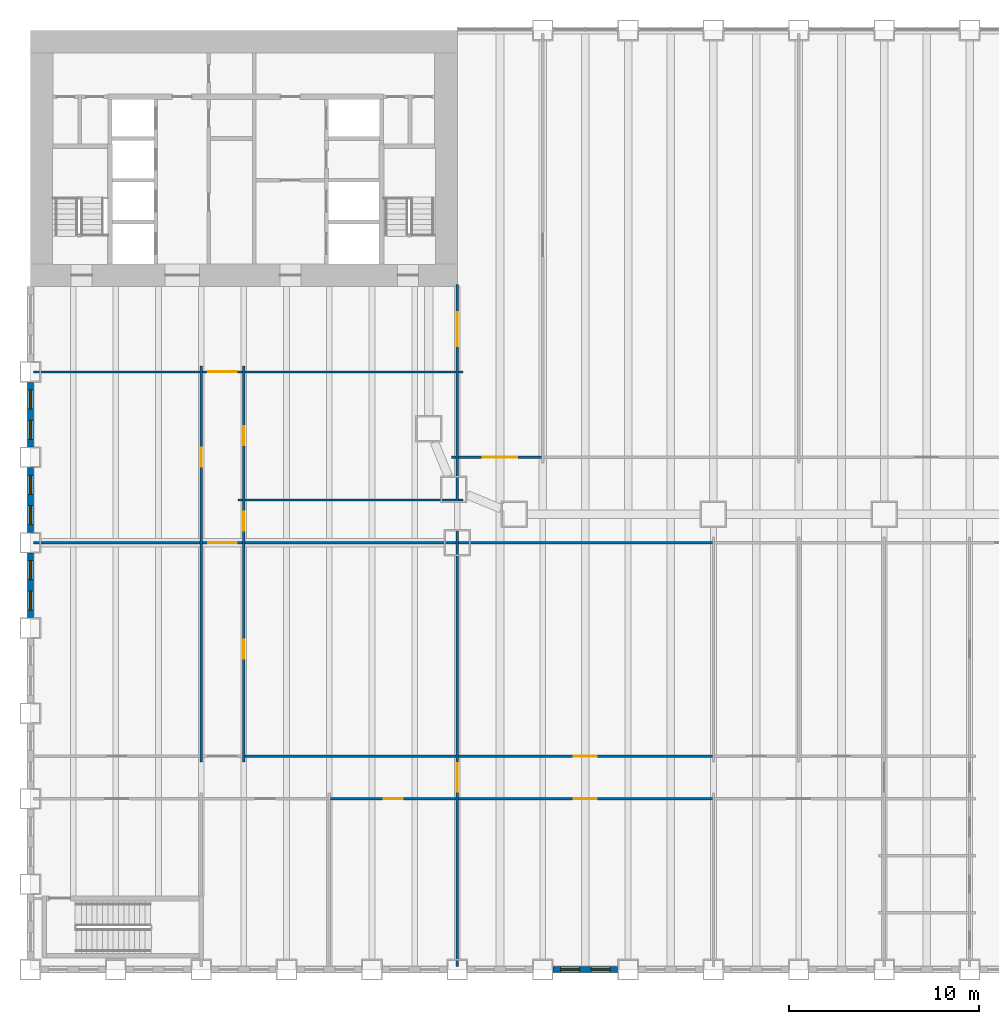
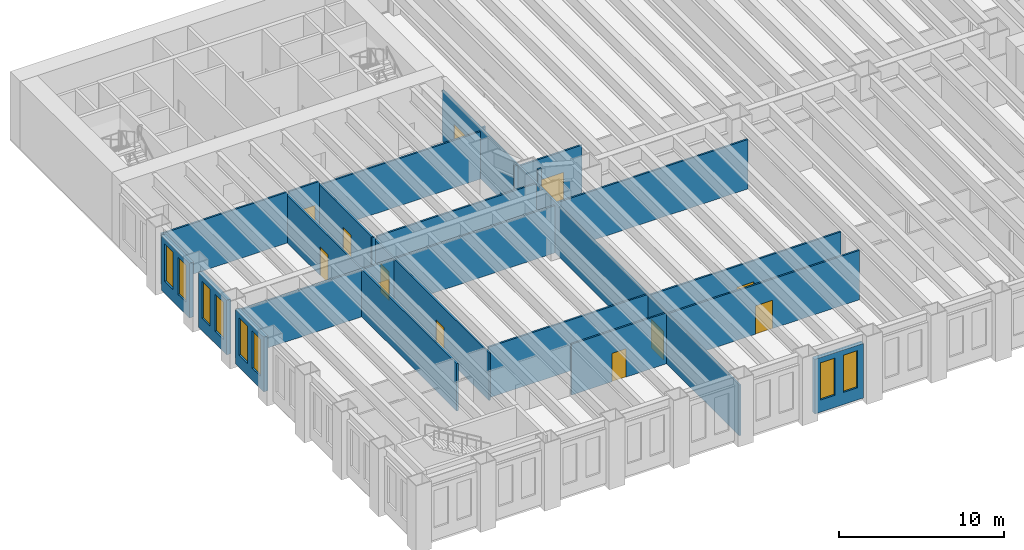
# One storey, part 10 of 19: 24 walls, 12 doors, 8 windows, 20 openings.
"""IFC4 building model written with IfcOpenShell, lengths in metres."""

from ifc_helpers import new_model, si_unit, direction, frame, frame_2d, origin, place, context, subcontext, project, spatial, rectangle, extrude, material, layer, layer_set, type_object, element, fill, save


model = new_model("IFC4")

# Units and contexts
model_context = context("Model", 3, precision=1e-05, world=origin(), true_north=direction((0.0, 1.0)))
body_context = subcontext(model_context, "Body", "Model", "MODEL_VIEW")
ifc_project = project(units=[si_unit("LENGTHUNIT", "METRE"), si_unit("AREAUNIT", "SQUARE_METRE"), si_unit("VOLUMEUNIT", "CUBIC_METRE"), si_unit("PLANEANGLEUNIT", "RADIAN"), si_unit("MASSUNIT", "GRAM", prefix="KILO")], contexts=[model_context])

# Site, building, storey
site_placement = place(None, origin())
site = spatial("IfcSite", under=ifc_project, at=site_placement, CompositionType="ELEMENT")
building_placement = place(site_placement, origin())
building = spatial("IfcBuilding", under=site, at=building_placement, Name="Sennacour Bend Tower", CompositionType="ELEMENT")
storey_placement = place(building_placement, frame((0.0, 0.0, 19.0)))
storey = spatial("IfcBuildingStorey", under=building, at=storey_placement, Name="L03", CompositionType="ELEMENT", Elevation=19.0)

# Wall, opening, door
ifc_material_1 = material(Name="Plasterboard partition on steel studs", Category="steel")
ifc_layer_1 = layer(ifc_material_1, 0.1201171875, Name="Plasterboard partition on steel studs", Category="steel")
ifc_layer_set_1 = layer_set([ifc_layer_1], Name="Plasterboard partition on steel studs")
wall_type_1 = type_object("IfcWallType", Name="Partition 120", PredefinedType="PARTITIONING", material=ifc_layer_set_1)
wall_1_placement = place(storey_placement, frame((9.0, 10.949951171875, 0.0), z_axis=(0.0, 0.0, 1.0), x_axis=(0.0, 1.0, 0.0)))
wall_1 = element("IfcWall", 1, at=wall_1_placement, inside=storey, type_object=wall_type_1, Name="P-L03-W010a", PredefinedType="PARTITIONING", context=body_context, shape_type="SweptSolid", body=[
    extrude(rectangle(XDim=20.85009765625, YDim=0.1201171875, at=frame_2d((10.425048828125, 0.0))), origin(), (0.0, 0.0, 1.0), 3.5),
])
opening_1_placement = place(wall_1_placement, frame((15.550048828125, 0.0, 0.0)))
opening_1 = element("IfcOpeningElement", 2, at=opening_1_placement, cuts=wall_1, Name="Opening OD2", PredefinedType="OPENING", context=body_context, shape_type="SweptSolid", body=[
    extrude(rectangle(XDim=1.0, YDim=2.10009765625, at=frame_2d((0.5, 1.050048828125))), frame((0.0, 0.070068359375, 0.0), z_axis=(0.0, -1.0, 0.0), x_axis=(1.0, 0.0, 0.0)), (0.0, 0.0, 1.0), 0.14013671875),
])
ifc_material_2 = material(Name="Timber", Category="wood")
door_type_1 = type_object("IfcDoorType", Name="DR-OFFICE-1000", OperationType="NOTDEFINED", PredefinedType="DOOR", material=ifc_material_2)
door_1_placement = place(opening_1_placement, origin())
door_1 = element("IfcDoor", 3, at=door_1_placement, inside=storey, type_object=door_type_1, Name="Door", OperationType="SINGLE_SWING_RIGHT", OverallHeight=2.10009765625, OverallWidth=1.0, PredefinedType="DOOR", context=body_context, shape_type="SweptSolid", body=[
    extrude(rectangle(XDim=1.0, YDim=2.10009765625, at=frame_2d((0.5, 1.050048828125))), frame((0.0, 0.02490234375, 0.0), z_axis=(0.0, -1.0, 0.0), x_axis=(1.0, 0.0, 0.0)), (0.0, 0.0, 1.0), 0.050048828125),
])
fill(opening_1, door_1)

# Wall, openings, doors
wall_2_placement = place(storey_placement, frame((11.25, 10.949951171875, 0.0), z_axis=(0.0, 0.0, 1.0), x_axis=(0.0, 1.0, 0.0)))
wall_2 = element("IfcWall", 4, at=wall_2_placement, inside=storey, type_object=wall_type_1, Name="P-L03-W012a", PredefinedType="PARTITIONING", context=body_context, shape_type="SweptSolid", body=[
    extrude(rectangle(XDim=20.85009765625, YDim=0.1201171875, at=frame_2d((10.425048828125, 0.0))), origin(), (0.0, 0.0, 1.0), 3.5),
])
opening_2_placement = place(wall_2_placement, frame((5.425048828125, 0.0, 0.0)))
opening_2 = element("IfcOpeningElement", 5, at=opening_2_placement, cuts=wall_2, Name="Opening OD2", PredefinedType="OPENING", context=body_context, shape_type="SweptSolid", body=[
    extrude(rectangle(XDim=1.0, YDim=2.10009765625, at=frame_2d((0.5, 1.050048828125))), frame((0.0, 0.070068359375, 0.0), z_axis=(0.0, -1.0, 0.0), x_axis=(1.0, 0.0, 0.0)), (0.0, 0.0, 1.0), 0.14013671875),
])
opening_3_placement = place(wall_2_placement, frame((12.175048828125, 0.0, 0.0)))
opening_3 = element("IfcOpeningElement", 6, at=opening_3_placement, cuts=wall_2, Name="Opening OD2", PredefinedType="OPENING", context=body_context, shape_type="SweptSolid", body=[
    extrude(rectangle(XDim=1.0, YDim=2.10009765625, at=frame_2d((0.5, 1.050048828125))), frame((0.0, 0.070068359375, 0.0), z_axis=(0.0, -1.0, 0.0), x_axis=(1.0, 0.0, 0.0)), (0.0, 0.0, 1.0), 0.14013671875),
])
opening_4_placement = place(wall_2_placement, frame((16.675048828125, 0.0, 0.0)))
opening_4 = element("IfcOpeningElement", 7, at=opening_4_placement, cuts=wall_2, Name="Opening OD2", PredefinedType="OPENING", context=body_context, shape_type="SweptSolid", body=[
    extrude(rectangle(XDim=1.0, YDim=2.10009765625, at=frame_2d((0.5, 1.050048828125))), frame((0.0, 0.070068359375, 0.0), z_axis=(0.0, -1.0, 0.0), x_axis=(1.0, 0.0, 0.0)), (0.0, 0.0, 1.0), 0.14013671875),
])
door_2_placement = place(opening_2_placement, origin())
door_2 = element("IfcDoor", 8, at=door_2_placement, inside=storey, type_object=door_type_1, Name="Door", OperationType="SINGLE_SWING_LEFT", OverallHeight=2.10009765625, OverallWidth=1.0, PredefinedType="DOOR", context=body_context, shape_type="SweptSolid", body=[
    extrude(rectangle(XDim=1.0, YDim=2.10009765625, at=frame_2d((0.5, 1.050048828125))), frame((0.0, 0.02490234375, 0.0), z_axis=(0.0, -1.0, 0.0), x_axis=(1.0, 0.0, 0.0)), (0.0, 0.0, 1.0), 0.050048828125),
])
fill(opening_2, door_2)
door_3_placement = place(opening_3_placement, origin())
door_3 = element("IfcDoor", 9, at=door_3_placement, inside=storey, type_object=door_type_1, Name="Door", OperationType="SINGLE_SWING_RIGHT", OverallHeight=2.10009765625, OverallWidth=1.0, PredefinedType="DOOR", context=body_context, shape_type="SweptSolid", body=[
    extrude(rectangle(XDim=1.0, YDim=2.10009765625, at=frame_2d((0.5, 1.050048828125))), frame((0.0, 0.02490234375, 0.0), z_axis=(0.0, -1.0, 0.0), x_axis=(1.0, 0.0, 0.0)), (0.0, 0.0, 1.0), 0.050048828125),
])
fill(opening_3, door_3)
door_4_placement = place(opening_4_placement, origin())
door_4 = element("IfcDoor", 10, at=door_4_placement, inside=storey, type_object=door_type_1, Name="Door", OperationType="SINGLE_SWING_RIGHT", OverallHeight=2.10009765625, OverallWidth=1.0, PredefinedType="DOOR", context=body_context, shape_type="SweptSolid", body=[
    extrude(rectangle(XDim=1.0, YDim=2.10009765625, at=frame_2d((0.5, 1.050048828125))), frame((0.0, 0.02490234375, 0.0), z_axis=(0.0, -1.0, 0.0), x_axis=(1.0, 0.0, 0.0)), (0.0, 0.0, 1.0), 0.050048828125),
])
fill(opening_4, door_4)

# Wall, opening, door
wall_3_placement = place(storey_placement, frame((15.81005859375, 9.0, 0.0), z_axis=(0.0, 0.0, 1.0), x_axis=(1.0, 0.0, 0.0)))
wall_3 = element("IfcWall", 11, at=wall_3_placement, inside=storey, type_object=wall_type_1, Name="P-L03-W055ac", PredefinedType="PARTITIONING", context=body_context, shape_type="SweptSolid", body=[
    extrude(rectangle(XDim=6.6298828125, YDim=0.1201171875, at=frame_2d((3.31494140625, 0.0))), origin(), (0.0, 0.0, 1.0), 3.7587890625),
])
opening_5_placement = place(wall_3_placement, frame((2.81494140625, 0.0, 0.0)))
opening_5 = element("IfcOpeningElement", 12, at=opening_5_placement, cuts=wall_3, Name="Opening OD2", PredefinedType="OPENING", context=body_context, shape_type="SweptSolid", body=[
    extrude(rectangle(XDim=1.0, YDim=2.10009765625, at=frame_2d((0.5, 1.050048828125))), frame((0.0, 0.070068359375, 0.0), z_axis=(0.0, -1.0, 0.0), x_axis=(1.0, 0.0, 0.0)), (0.0, 0.0, 1.0), 0.14013671875),
])
door_5_placement = place(opening_5_placement, origin())
door_5 = element("IfcDoor", 13, at=door_5_placement, inside=storey, type_object=door_type_1, Name="Door", OperationType="SINGLE_SWING_LEFT", OverallHeight=2.10009765625, OverallWidth=1.0, PredefinedType="DOOR", context=body_context, shape_type="SweptSolid", body=[
    extrude(rectangle(XDim=1.0, YDim=2.10009765625, at=frame_2d((0.5, 1.050048828125))), frame((0.0, 0.02490234375, 0.0), z_axis=(0.0, -1.0, 0.0), x_axis=(1.0, 0.0, 0.0)), (0.0, 0.0, 1.0), 0.050048828125),
])
fill(opening_5, door_5)

wall_4_placement = place(storey_placement, frame((22.56005859375, 9.0, 0.0), z_axis=(0.0, 0.0, 1.0), x_axis=(1.0, 0.0, 0.0)))
wall_4 = element("IfcWall", 14, at=wall_4_placement, inside=storey, type_object=wall_type_1, Name="P-L03-W055ad", PredefinedType="PARTITIONING", context=body_context, shape_type="SweptSolid", body=[
    extrude(rectangle(XDim=13.3798828125, YDim=0.1201171875, at=frame_2d((6.68994140625, 0.0))), origin(), (0.0, 0.0, 1.0), 3.66015625),
])
opening_6_placement = place(wall_4_placement, frame((6.08984375, 0.0, 0.0)))
opening_6 = element("IfcOpeningElement", 15, at=opening_6_placement, cuts=wall_4, Name="Opening OD", PredefinedType="OPENING", context=body_context, shape_type="SweptSolid", body=[
    extrude(rectangle(XDim=1.199951171875, YDim=2.10009765625, at=frame_2d((0.60009765625, 1.050048828125))), frame((0.0, 0.070068359375, 0.0), z_axis=(0.0, -1.0, 0.0), x_axis=(1.0, 0.0, 0.0)), (0.0, 0.0, 1.0), 0.14013671875),
])
door_type_2 = type_object("IfcDoorType", Name="DR-OFFICE-1200", OperationType="NOTDEFINED", PredefinedType="DOOR", material=ifc_material_2)
door_6_placement = place(opening_6_placement, origin())
door_6 = element("IfcDoor", 16, at=door_6_placement, inside=storey, type_object=door_type_2, Name="Door", OperationType="SINGLE_SWING_LEFT", OverallHeight=2.10009765625, OverallWidth=1.199951171875, PredefinedType="DOOR", context=body_context, shape_type="SweptSolid", body=[
    extrude(rectangle(XDim=1.199951171875, YDim=2.10009765625, at=frame_2d((0.60009765625, 1.050048828125))), frame((0.0, 0.02490234375, 0.0), z_axis=(0.0, -1.0, 0.0), x_axis=(1.0, 0.0, 0.0)), (0.0, 0.0, 1.0), 0.050048828125),
])
fill(opening_6, door_6)

# Wall
wall_5_placement = place(storey_placement, frame((11.31005859375, 11.25, 0.0), z_axis=(0.0, 0.0, 1.0), x_axis=(1.0, 0.0, 0.0)))
element("IfcWall", 17, at=wall_5_placement, inside=storey, type_object=wall_type_1, Name="P-L03-W057ac", PredefinedType="PARTITIONING", context=body_context, shape_type="SweptSolid", body=[
    extrude(rectangle(XDim=11.1298828125, YDim=0.1201171875, at=frame_2d((5.56494140625, 0.0))), origin(), (0.0, 0.0, 1.0), 3.7587890625),
])

# Wall, opening, door
wall_6_placement = place(storey_placement, frame((22.56005859375, 11.25, 0.0), z_axis=(0.0, 0.0, 1.0), x_axis=(1.0, 0.0, 0.0)))
wall_6 = element("IfcWall", 18, at=wall_6_placement, inside=storey, type_object=wall_type_1, Name="P-L03-W057ad", PredefinedType="PARTITIONING", context=body_context, shape_type="SweptSolid", body=[
    extrude(rectangle(XDim=13.3798828125, YDim=0.1201171875, at=frame_2d((6.68994140625, 0.0))), origin(), (0.0, 0.0, 1.0), 3.66015625),
])
opening_7_placement = place(wall_6_placement, frame((6.08984375, 0.0, 0.0)))
opening_7 = element("IfcOpeningElement", 19, at=opening_7_placement, cuts=wall_6, Name="Opening OD", PredefinedType="OPENING", context=body_context, shape_type="SweptSolid", body=[
    extrude(rectangle(XDim=1.199951171875, YDim=2.10009765625, at=frame_2d((0.60009765625, 1.050048828125))), frame((0.0, 0.070068359375, 0.0), z_axis=(0.0, -1.0, 0.0), x_axis=(1.0, 0.0, 0.0)), (0.0, 0.0, 1.0), 0.14013671875),
])
door_7_placement = place(opening_7_placement, origin())
door_7 = element("IfcDoor", 20, at=door_7_placement, inside=storey, type_object=door_type_2, Name="Door", OperationType="SINGLE_SWING_LEFT", OverallHeight=2.10009765625, OverallWidth=1.199951171875, PredefinedType="DOOR", context=body_context, shape_type="SweptSolid", body=[
    extrude(rectangle(XDim=1.199951171875, YDim=2.10009765625, at=frame_2d((0.60009765625, 1.050048828125))), frame((0.0, 0.02490234375, 0.0), z_axis=(0.0, -1.0, 0.0), x_axis=(1.0, 0.0, 0.0)), (0.0, 0.0, 1.0), 0.050048828125),
])
fill(opening_7, door_7)

# Walls
wall_7_placement = place(storey_placement, frame((0.14990234375, 22.5, 0.0), z_axis=(0.0, 0.0, 1.0), x_axis=(1.0, 0.0, 0.0)))
element("IfcWall", 21, at=wall_7_placement, inside=storey, type_object=wall_type_1, Name="P-L03-W066aa", PredefinedType="PARTITIONING", context=body_context, shape_type="SweptSolid", body=[
    extrude(rectangle(XDim=8.7900390625, YDim=0.1201171875, at=frame_2d((4.39501953125, 0.0))), origin(), (0.0, 0.0, 1.0), 3.5),
])
wall_8_placement = place(storey_placement, frame((11.31005859375, 22.5, 0.0), z_axis=(0.0, 0.0, 1.0), x_axis=(1.0, 0.0, 0.0)))
element("IfcWall", 22, at=wall_8_placement, inside=storey, type_object=wall_type_1, Name="P-L03-W066ac", PredefinedType="PARTITIONING", context=body_context, shape_type="SweptSolid", body=[
    extrude(rectangle(XDim=11.1298828125, YDim=0.1201171875, at=frame_2d((5.56494140625, 0.0))), origin(), (0.0, 0.0, 1.0), 3.5),
])
wall_9_placement = place(storey_placement, frame((22.56005859375, 22.5, 0.0), z_axis=(0.0, 0.0, 1.0), x_axis=(1.0, 0.0, 0.0)))
element("IfcWall", 23, at=wall_9_placement, inside=storey, type_object=wall_type_1, Name="P-L03-W066ad", PredefinedType="PARTITIONING", context=body_context, shape_type="SweptSolid", body=[
    extrude(rectangle(XDim=13.3798828125, YDim=0.1201171875, at=frame_2d((6.68994140625, 0.0))), origin(), (0.0, 0.0, 1.0), 3.66015625),
])
wall_10_placement = place(storey_placement, frame((10.949951171875, 24.75, 0.0), z_axis=(0.0, 0.0, 1.0), x_axis=(1.0, 0.0, 0.0)))
element("IfcWall", 24, at=wall_10_placement, inside=storey, type_object=wall_type_1, Name="P-L03-W067aa", PredefinedType="PARTITIONING", context=body_context, shape_type="SweptSolid", body=[
    extrude(rectangle(XDim=0.239990234375, YDim=0.1201171875, at=frame_2d((0.1201171875, 0.0))), origin(), (0.0, 0.0, 1.0), 3.7587890625),
])
wall_11_placement = place(storey_placement, frame((11.31005859375, 24.75, 0.0), z_axis=(0.0, 0.0, 1.0), x_axis=(1.0, 0.0, 0.0)))
element("IfcWall", 25, at=wall_11_placement, inside=storey, type_object=wall_type_1, Name="P-L03-W067ab", PredefinedType="PARTITIONING", context=body_context, shape_type="SweptSolid", body=[
    extrude(rectangle(XDim=11.1298828125, YDim=0.1201171875, at=frame_2d((5.56494140625, 0.0))), origin(), (0.0, 0.0, 1.0), 3.7587890625),
])
wall_12_placement = place(storey_placement, frame((22.56005859375, 24.75, 0.0), z_axis=(0.0, 0.0, 1.0), x_axis=(1.0, 0.0, 0.0)))
element("IfcWall", 26, at=wall_12_placement, inside=storey, type_object=wall_type_1, Name="P-L03-W067ac", PredefinedType="PARTITIONING", context=body_context, shape_type="SweptSolid", body=[
    extrude(rectangle(XDim=0.239990234375, YDim=0.1201171875, at=frame_2d((0.1201171875, 0.0))), origin(), (0.0, 0.0, 1.0), 4.75),
])
wall_13_placement = place(storey_placement, frame((22.199951171875, 27.0, 0.0), z_axis=(0.0, 0.0, 1.0), x_axis=(1.0, 0.0, 0.0)))
element("IfcWall", 27, at=wall_13_placement, inside=storey, type_object=wall_type_1, Name="P-L03-W068aa", PredefinedType="PARTITIONING", context=body_context, shape_type="SweptSolid", body=[
    extrude(rectangle(XDim=0.239990234375, YDim=0.1201171875, at=frame_2d((0.1201171875, 0.0))), origin(), (0.0, 0.0, 1.0), 3.7587890625),
])
wall_14_placement = place(storey_placement, frame((0.14990234375, 31.5, 0.0), z_axis=(0.0, 0.0, 1.0), x_axis=(1.0, 0.0, 0.0)))
element("IfcWall", 28, at=wall_14_placement, inside=storey, type_object=wall_type_1, Name="P-L03-W069aa", PredefinedType="PARTITIONING", context=body_context, shape_type="SweptSolid", body=[
    extrude(rectangle(XDim=8.7900390625, YDim=0.1201171875, at=frame_2d((4.39501953125, 0.0))), origin(), (0.0, 0.0, 1.0), 3.7587890625),
])
wall_15_placement = place(storey_placement, frame((11.31005859375, 31.5, 0.0), z_axis=(0.0, 0.0, 1.0), x_axis=(1.0, 0.0, 0.0)))
element("IfcWall", 29, at=wall_15_placement, inside=storey, type_object=wall_type_1, Name="P-L03-W069ac", PredefinedType="PARTITIONING", context=body_context, shape_type="SweptSolid", body=[
    extrude(rectangle(XDim=11.1298828125, YDim=0.1201171875, at=frame_2d((5.56494140625, 0.0))), origin(), (0.0, 0.0, 1.0), 3.5),
])
wall_16_placement = place(storey_placement, frame((22.56005859375, 31.5, 0.0), z_axis=(0.0, 0.0, 1.0), x_axis=(1.0, 0.0, 0.0)))
element("IfcWall", 30, at=wall_16_placement, inside=storey, type_object=wall_type_1, Name="P-L03-W069ad", PredefinedType="PARTITIONING", context=body_context, shape_type="SweptSolid", body=[
    extrude(rectangle(XDim=0.239990234375, YDim=0.1201171875, at=frame_2d((0.1201171875, 0.0))), origin(), (0.0, 0.0, 1.0), 3.7587890625),
])

# Wall, opening, door
ifc_layer_2 = layer(ifc_material_1, 0.1201171875, Name="Plasterboard partition on steel studs", Category="steel")
ifc_layer_set_2 = layer_set([ifc_layer_2], Name="Plasterboard partition on steel studs")
wall_type_2 = type_object("IfcWallType", Name="Partition 120 EI 30", PredefinedType="PARTITIONING", material=ifc_layer_set_2)
wall_17_placement = place(storey_placement, frame((9.06005859375, 22.5, 0.0), z_axis=(0.0, 0.0, 1.0), x_axis=(1.0, 0.0, 0.0)))
wall_17 = element("IfcWall", 31, at=wall_17_placement, inside=storey, type_object=wall_type_2, Name="P-L03-W066ab", PredefinedType="PARTITIONING", context=body_context, shape_type="SweptSolid", body=[
    extrude(rectangle(XDim=2.1298828125, YDim=0.1201171875, at=frame_2d((1.06494140625, 0.0))), origin(), (0.0, 0.0, 1.0), 3.5),
])
opening_8_placement = place(wall_17_placement, frame((0.31494140625, 0.0, 0.0)))
opening_8 = element("IfcOpeningElement", 32, at=opening_8_placement, cuts=wall_17, Name="Opening KD", PredefinedType="OPENING", context=body_context, shape_type="SweptSolid", body=[
    extrude(rectangle(XDim=1.5, YDim=2.10009765625, at=frame_2d((0.75, 1.050048828125))), frame((0.0, 0.070068359375, 0.0), z_axis=(0.0, -1.0, 0.0), x_axis=(1.0, 0.0, 0.0)), (0.0, 0.0, 1.0), 0.14013671875),
])
ifc_material_3 = material(Name="Painted steel", Category="steel")
door_type_3 = type_object("IfcDoorType", Name="DR-CORRIDOR-1500", OperationType="NOTDEFINED", PredefinedType="DOOR", material=ifc_material_3)
door_8_placement = place(opening_8_placement, origin())
door_8 = element("IfcDoor", 33, at=door_8_placement, inside=storey, type_object=door_type_3, Name="Door", OperationType="SINGLE_SWING_LEFT", OverallHeight=2.10009765625, OverallWidth=1.5, PredefinedType="DOOR", context=body_context, shape_type="SweptSolid", body=[
    extrude(rectangle(XDim=1.5, YDim=2.10009765625, at=frame_2d((0.75, 1.050048828125))), frame((0.0, 0.02490234375, 0.0), z_axis=(0.0, -1.0, 0.0), x_axis=(1.0, 0.0, 0.0)), (0.0, 0.0, 1.0), 0.050048828125),
])
fill(opening_8, door_8)

wall_18_placement = place(storey_placement, frame((9.06005859375, 31.5, 0.0), z_axis=(0.0, 0.0, 1.0), x_axis=(1.0, 0.0, 0.0)))
wall_18 = element("IfcWall", 34, at=wall_18_placement, inside=storey, type_object=wall_type_2, Name="P-L03-W069ab", PredefinedType="PARTITIONING", context=body_context, shape_type="SweptSolid", body=[
    extrude(rectangle(XDim=2.1298828125, YDim=0.1201171875, at=frame_2d((1.06494140625, 0.0))), origin(), (0.0, 0.0, 1.0), 3.7587890625),
])
opening_9_placement = place(wall_18_placement, frame((0.31494140625, 0.0, 0.0)))
opening_9 = element("IfcOpeningElement", 35, at=opening_9_placement, cuts=wall_18, Name="Opening KD", PredefinedType="OPENING", context=body_context, shape_type="SweptSolid", body=[
    extrude(rectangle(XDim=1.5, YDim=2.10009765625, at=frame_2d((0.75, 1.050048828125))), frame((0.0, 0.070068359375, 0.0), z_axis=(0.0, -1.0, 0.0), x_axis=(1.0, 0.0, 0.0)), (0.0, 0.0, 1.0), 0.14013671875),
])
door_9_placement = place(opening_9_placement, origin())
door_9 = element("IfcDoor", 36, at=door_9_placement, inside=storey, type_object=door_type_3, Name="Door", OperationType="SINGLE_SWING_LEFT", OverallHeight=2.10009765625, OverallWidth=1.5, PredefinedType="DOOR", context=body_context, shape_type="SweptSolid", body=[
    extrude(rectangle(XDim=1.5, YDim=2.10009765625, at=frame_2d((0.75, 1.050048828125))), frame((0.0, 0.02490234375, 0.0), z_axis=(0.0, -1.0, 0.0), x_axis=(1.0, 0.0, 0.0)), (0.0, 0.0, 1.0), 0.050048828125),
])
fill(opening_9, door_9)

# Wall, openings, doors
ifc_layer_3 = layer(ifc_material_1, 0.1201171875, Name="Plasterboard partition on steel studs", Category="steel")
ifc_layer_set_3 = layer_set([ifc_layer_3], Name="Plasterboard partition on steel studs")
wall_type_3 = type_object("IfcWallType", Name="Partition 120 EI 60", PredefinedType="PARTITIONING", material=ifc_layer_set_3)
wall_19_placement = place(storey_placement, frame((22.5, 0.14990234375, 0.0), z_axis=(0.0, 0.0, 1.0), x_axis=(0.0, 1.0, 0.0)))
wall_19 = element("IfcWall", 37, at=wall_19_placement, inside=storey, type_object=wall_type_3, Name="P-L03-W022a", PredefinedType="PARTITIONING", context=body_context, shape_type="SweptSolid", body=[
    extrude(rectangle(XDim=35.9501953125, YDim=0.1201171875, at=frame_2d((17.97509765625, 0.0))), origin(), (0.0, 0.0, 1.0), 3.7587890625),
])
opening_10_placement = place(wall_19_placement, frame((9.22509765625, 0.0, 0.0)))
opening_10 = element("IfcOpeningElement", 38, at=opening_10_placement, cuts=wall_19, Name="Opening KD", PredefinedType="OPENING", context=body_context, shape_type="SweptSolid", body=[
    extrude(rectangle(XDim=1.5, YDim=2.10009765625, at=frame_2d((0.75, 1.050048828125))), frame((0.0, 0.070068359375, 0.0), z_axis=(0.0, -1.0, 0.0), x_axis=(1.0, 0.0, 0.0)), (0.0, 0.0, 1.0), 0.14013671875),
])
opening_11_placement = place(wall_19_placement, frame((32.7001953125, 0.0, 0.0)))
opening_11 = element("IfcOpeningElement", 39, at=opening_11_placement, cuts=wall_19, Name="Opening CD", PredefinedType="OPENING", context=body_context, shape_type="SweptSolid", body=[
    extrude(rectangle(XDim=1.800048828125, YDim=2.10009765625, at=frame_2d((0.89990234375, 1.050048828125))), frame((0.0, 0.070068359375, 0.0), z_axis=(0.0, -1.0, 0.0), x_axis=(1.0, 0.0, 0.0)), (0.0, 0.0, 1.0), 0.14013671875),
])
door_10_placement = place(opening_10_placement, origin())
door_10 = element("IfcDoor", 40, at=door_10_placement, inside=storey, type_object=door_type_3, Name="Door", OperationType="SINGLE_SWING_LEFT", OverallHeight=2.10009765625, OverallWidth=1.5, PredefinedType="DOOR", context=body_context, shape_type="SweptSolid", body=[
    extrude(rectangle(XDim=1.5, YDim=2.10009765625, at=frame_2d((0.75, 1.050048828125))), frame((0.0, 0.02490234375, 0.0), z_axis=(0.0, -1.0, 0.0), x_axis=(1.0, 0.0, 0.0)), (0.0, 0.0, 1.0), 0.050048828125),
])
fill(opening_10, door_10)
door_type_4 = type_object("IfcDoorType", Name="DR-LOBBY-1800", OperationType="NOTDEFINED", PredefinedType="DOOR", material=ifc_material_3)
door_11_placement = place(opening_11_placement, origin())
door_11 = element("IfcDoor", 41, at=door_11_placement, inside=storey, type_object=door_type_4, Name="Door", OperationType="DOUBLE_DOOR_SINGLE_SWING", OverallHeight=2.10009765625, OverallWidth=1.800048828125, PredefinedType="DOOR", context=body_context, shape_type="SweptSolid", body=[
    extrude(rectangle(XDim=1.800048828125, YDim=2.10009765625, at=frame_2d((0.89990234375, 1.050048828125))), frame((0.0, 0.02490234375, 0.0), z_axis=(0.0, -1.0, 0.0), x_axis=(1.0, 0.0, 0.0)), (0.0, 0.0, 1.0), 0.050048828125),
])
fill(opening_11, door_11)

# Wall, opening, door
wall_20_placement = place(storey_placement, frame((22.56005859375, 27.0, 0.0), z_axis=(0.0, 0.0, 1.0), x_axis=(1.0, 0.0, 0.0)))
wall_20 = element("IfcWall", 42, at=wall_20_placement, inside=storey, type_object=wall_type_3, Name="P-L03-W068ab", PredefinedType="PARTITIONING", context=body_context, shape_type="SweptSolid", body=[
    extrude(rectangle(XDim=4.3798828125, YDim=0.1201171875, at=frame_2d((2.18994140625, 0.0))), origin(), (0.0, 0.0, 1.0), 3.66015625),
])
opening_12_placement = place(wall_20_placement, frame((1.289794921875, 0.0, 0.0)))
opening_12 = element("IfcOpeningElement", 43, at=opening_12_placement, cuts=wall_20, Name="Opening CD", PredefinedType="OPENING", context=body_context, shape_type="SweptSolid", body=[
    extrude(rectangle(XDim=1.800048828125, YDim=2.10009765625, at=frame_2d((0.89990234375, 1.050048828125))), frame((0.0, 0.070068359375, 0.0), z_axis=(0.0, -1.0, 0.0), x_axis=(1.0, 0.0, 0.0)), (0.0, 0.0, 1.0), 0.14013671875),
])
door_12_placement = place(opening_12_placement, origin())
door_12 = element("IfcDoor", 44, at=door_12_placement, inside=storey, type_object=door_type_4, Name="Door", OperationType="DOUBLE_DOOR_SINGLE_SWING", OverallHeight=2.10009765625, OverallWidth=1.800048828125, PredefinedType="DOOR", context=body_context, shape_type="SweptSolid", body=[
    extrude(rectangle(XDim=1.800048828125, YDim=2.10009765625, at=frame_2d((0.89990234375, 1.050048828125))), frame((0.0, 0.02490234375, 0.0), z_axis=(0.0, -1.0, 0.0), x_axis=(1.0, 0.0, 0.0)), (0.0, 0.0, 1.0), 0.050048828125),
])
fill(opening_12, door_12)

# Wall, openings, windows
ifc_material_4 = material(Name="Warm limestone cladding", Category="masonry")
ifc_layer_4 = layer(ifc_material_4, 0.050048828125, Name="Warm limestone cladding", Category="masonry")
ifc_material_5 = material(Name="Precast concrete C40/50", Category="concrete")
ifc_layer_5 = layer(ifc_material_5, 0.25, Name="Precast concrete C40/50", Category="concrete")
ifc_layer_set_4 = layer_set([ifc_layer_4, ifc_layer_5], Name="Precast concrete C40/50 with limestone cladding")
wall_type_4 = type_object("IfcWallType", Name="STONE-CLAD PRECAST SPANDREL 300", PredefinedType="STANDARD", material=ifc_layer_set_4)
wall_21_placement = place(storey_placement, frame((0.0, 30.949951171875, 0.0), z_axis=(0.0, 0.0, 1.0), x_axis=(0.0, -1.0, 0.0)))
wall_21 = element("IfcWall", 45, at=wall_21_placement, inside=storey, type_object=wall_type_4, Name="Stone spandrel and pier wall L03 02.01", PredefinedType="STANDARD", context=body_context, shape_type="SweptSolid", body=[
    extrude(rectangle(XDim=3.39990234375, YDim=0.300048828125, at=frame_2d((1.699951171875, 0.0))), origin(), (0.0, 0.0, 1.0), 4.035888671875),
])
opening_13_placement = place(wall_21_placement, frame((0.39990234375, 0.0, 0.89990234375)))
opening_13 = element("IfcOpeningElement", 46, at=opening_13_placement, cuts=wall_21, Name="Opening W3", PredefinedType="OPENING", context=body_context, shape_type="SweptSolid", body=[
    extrude(rectangle(XDim=1.0, YDim=2.75, at=frame_2d((0.5, 1.375))), frame((0.0, 0.16015625, 0.0), z_axis=(0.0, -1.0, 0.0), x_axis=(1.0, 0.0, 0.0)), (0.0, 0.0, 1.0), 0.320068359375),
])
opening_14_placement = place(wall_21_placement, frame((2.0, 0.0, 0.89990234375)))
opening_14 = element("IfcOpeningElement", 47, at=opening_14_placement, cuts=wall_21, Name="Opening W3", PredefinedType="OPENING", context=body_context, shape_type="SweptSolid", body=[
    extrude(rectangle(XDim=1.0, YDim=2.75, at=frame_2d((0.5, 1.375))), frame((0.0, 0.16015625, 0.0), z_axis=(0.0, -1.0, 0.0), x_axis=(1.0, 0.0, 0.0)), (0.0, 0.0, 1.0), 0.320068359375),
])
ifc_material_6 = material(Name="Clear low-emissivity glass", Category="glass")
window_type = type_object("IfcWindowType", Name="WIN-RIBBON-1000x2750", PartitioningType="SINGLE_PANEL", PredefinedType="WINDOW", material=ifc_material_6)
window_1_placement = place(opening_13_placement, origin())
window_1 = element("IfcWindow", 48, at=window_1_placement, inside=storey, type_object=window_type, Name="Ribbon window L03 02.01.0", OverallHeight=2.75, OverallWidth=1.0, PartitioningType="SINGLE_PANEL", PredefinedType="WINDOW", context=body_context, shape_type="SweptSolid", body=[
    extrude(rectangle(XDim=1.0, YDim=2.75, at=frame_2d((0.5, 1.375))), frame((0.0, 0.030029296875, 0.0), z_axis=(0.0, -1.0, 0.0), x_axis=(1.0, 0.0, 0.0)), (0.0, 0.0, 1.0), 0.06005859375),
])
fill(opening_13, window_1)
window_2_placement = place(opening_14_placement, origin())
window_2 = element("IfcWindow", 49, at=window_2_placement, inside=storey, type_object=window_type, Name="Ribbon window L03 02.01.1", OverallHeight=2.75, OverallWidth=1.0, PartitioningType="SINGLE_PANEL", PredefinedType="WINDOW", context=body_context, shape_type="SweptSolid", body=[
    extrude(rectangle(XDim=1.0, YDim=2.75, at=frame_2d((0.5, 1.375))), frame((0.0, 0.030029296875, 0.0), z_axis=(0.0, -1.0, 0.0), x_axis=(1.0, 0.0, 0.0)), (0.0, 0.0, 1.0), 0.06005859375),
])
fill(opening_14, window_2)

wall_22_placement = place(storey_placement, frame((0.0, 26.449951171875, 0.0), z_axis=(0.0, 0.0, 1.0), x_axis=(0.0, -1.0, 0.0)))
wall_22 = element("IfcWall", 50, at=wall_22_placement, inside=storey, type_object=wall_type_4, Name="Stone spandrel and pier wall L03 02.02", PredefinedType="STANDARD", context=body_context, shape_type="SweptSolid", body=[
    extrude(rectangle(XDim=3.39990234375, YDim=0.300048828125, at=frame_2d((1.699951171875, 0.0))), origin(), (0.0, 0.0, 1.0), 4.035888671875),
])
opening_15_placement = place(wall_22_placement, frame((0.39990234375, 0.0, 0.89990234375)))
opening_15 = element("IfcOpeningElement", 51, at=opening_15_placement, cuts=wall_22, Name="Opening W3", PredefinedType="OPENING", context=body_context, shape_type="SweptSolid", body=[
    extrude(rectangle(XDim=1.0, YDim=2.75, at=frame_2d((0.5, 1.375))), frame((0.0, 0.16015625, 0.0), z_axis=(0.0, -1.0, 0.0), x_axis=(1.0, 0.0, 0.0)), (0.0, 0.0, 1.0), 0.320068359375),
])
opening_16_placement = place(wall_22_placement, frame((2.0, 0.0, 0.89990234375)))
opening_16 = element("IfcOpeningElement", 52, at=opening_16_placement, cuts=wall_22, Name="Opening W3", PredefinedType="OPENING", context=body_context, shape_type="SweptSolid", body=[
    extrude(rectangle(XDim=1.0, YDim=2.75, at=frame_2d((0.5, 1.375))), frame((0.0, 0.16015625, 0.0), z_axis=(0.0, -1.0, 0.0), x_axis=(1.0, 0.0, 0.0)), (0.0, 0.0, 1.0), 0.320068359375),
])
window_3_placement = place(opening_15_placement, origin())
window_3 = element("IfcWindow", 53, at=window_3_placement, inside=storey, type_object=window_type, Name="Ribbon window L03 02.02.0", OverallHeight=2.75, OverallWidth=1.0, PartitioningType="SINGLE_PANEL", PredefinedType="WINDOW", context=body_context, shape_type="SweptSolid", body=[
    extrude(rectangle(XDim=1.0, YDim=2.75, at=frame_2d((0.5, 1.375))), frame((0.0, 0.030029296875, 0.0), z_axis=(0.0, -1.0, 0.0), x_axis=(1.0, 0.0, 0.0)), (0.0, 0.0, 1.0), 0.06005859375),
])
fill(opening_15, window_3)
window_4_placement = place(opening_16_placement, origin())
window_4 = element("IfcWindow", 54, at=window_4_placement, inside=storey, type_object=window_type, Name="Ribbon window L03 02.02.1", OverallHeight=2.75, OverallWidth=1.0, PartitioningType="SINGLE_PANEL", PredefinedType="WINDOW", context=body_context, shape_type="SweptSolid", body=[
    extrude(rectangle(XDim=1.0, YDim=2.75, at=frame_2d((0.5, 1.375))), frame((0.0, 0.030029296875, 0.0), z_axis=(0.0, -1.0, 0.0), x_axis=(1.0, 0.0, 0.0)), (0.0, 0.0, 1.0), 0.06005859375),
])
fill(opening_16, window_4)

wall_23_placement = place(storey_placement, frame((0.0, 21.949951171875, 0.0), z_axis=(0.0, 0.0, 1.0), x_axis=(0.0, -1.0, 0.0)))
wall_23 = element("IfcWall", 55, at=wall_23_placement, inside=storey, type_object=wall_type_4, Name="Stone spandrel and pier wall L03 02.03", PredefinedType="STANDARD", context=body_context, shape_type="SweptSolid", body=[
    extrude(rectangle(XDim=3.39990234375, YDim=0.300048828125, at=frame_2d((1.699951171875, 0.0))), origin(), (0.0, 0.0, 1.0), 4.035888671875),
])
opening_17_placement = place(wall_23_placement, frame((0.39990234375, 0.0, 0.89990234375)))
opening_17 = element("IfcOpeningElement", 56, at=opening_17_placement, cuts=wall_23, Name="Opening W3", PredefinedType="OPENING", context=body_context, shape_type="SweptSolid", body=[
    extrude(rectangle(XDim=1.0, YDim=2.75, at=frame_2d((0.5, 1.375))), frame((0.0, 0.16015625, 0.0), z_axis=(0.0, -1.0, 0.0), x_axis=(1.0, 0.0, 0.0)), (0.0, 0.0, 1.0), 0.320068359375),
])
opening_18_placement = place(wall_23_placement, frame((2.0, 0.0, 0.89990234375)))
opening_18 = element("IfcOpeningElement", 57, at=opening_18_placement, cuts=wall_23, Name="Opening W3", PredefinedType="OPENING", context=body_context, shape_type="SweptSolid", body=[
    extrude(rectangle(XDim=1.0, YDim=2.75, at=frame_2d((0.5, 1.375))), frame((0.0, 0.16015625, 0.0), z_axis=(0.0, -1.0, 0.0), x_axis=(1.0, 0.0, 0.0)), (0.0, 0.0, 1.0), 0.320068359375),
])
window_5_placement = place(opening_17_placement, origin())
window_5 = element("IfcWindow", 58, at=window_5_placement, inside=storey, type_object=window_type, Name="Ribbon window L03 02.03.0", OverallHeight=2.75, OverallWidth=1.0, PartitioningType="SINGLE_PANEL", PredefinedType="WINDOW", context=body_context, shape_type="SweptSolid", body=[
    extrude(rectangle(XDim=1.0, YDim=2.75, at=frame_2d((0.5, 1.375))), frame((0.0, 0.030029296875, 0.0), z_axis=(0.0, -1.0, 0.0), x_axis=(1.0, 0.0, 0.0)), (0.0, 0.0, 1.0), 0.06005859375),
])
fill(opening_17, window_5)
window_6_placement = place(opening_18_placement, origin())
window_6 = element("IfcWindow", 59, at=window_6_placement, inside=storey, type_object=window_type, Name="Ribbon window L03 02.03.1", OverallHeight=2.75, OverallWidth=1.0, PartitioningType="SINGLE_PANEL", PredefinedType="WINDOW", context=body_context, shape_type="SweptSolid", body=[
    extrude(rectangle(XDim=1.0, YDim=2.75, at=frame_2d((0.5, 1.375))), frame((0.0, 0.030029296875, 0.0), z_axis=(0.0, -1.0, 0.0), x_axis=(1.0, 0.0, 0.0)), (0.0, 0.0, 1.0), 0.06005859375),
])
fill(opening_18, window_6)

wall_24_placement = place(storey_placement, frame((27.550048828125, 0.0, 0.0), z_axis=(0.0, 0.0, 1.0), x_axis=(1.0, 0.0, 0.0)))
wall_24 = element("IfcWall", 60, at=wall_24_placement, inside=storey, type_object=wall_type_4, Name="Stone spandrel and pier wall L03 03.06", PredefinedType="STANDARD", context=body_context, shape_type="SweptSolid", body=[
    extrude(rectangle(XDim=3.39990234375, YDim=0.300048828125, at=frame_2d((1.699951171875, 0.0))), origin(), (0.0, 0.0, 1.0), 4.035888671875),
])
opening_19_placement = place(wall_24_placement, frame((0.39990234375, 0.0, 0.89990234375)))
opening_19 = element("IfcOpeningElement", 61, at=opening_19_placement, cuts=wall_24, Name="Opening W3", PredefinedType="OPENING", context=body_context, shape_type="SweptSolid", body=[
    extrude(rectangle(XDim=1.0, YDim=2.75, at=frame_2d((0.5, 1.375))), frame((0.0, 0.16015625, 0.0), z_axis=(0.0, -1.0, 0.0), x_axis=(1.0, 0.0, 0.0)), (0.0, 0.0, 1.0), 0.320068359375),
])
opening_20_placement = place(wall_24_placement, frame((2.0, 0.0, 0.89990234375)))
opening_20 = element("IfcOpeningElement", 62, at=opening_20_placement, cuts=wall_24, Name="Opening W3", PredefinedType="OPENING", context=body_context, shape_type="SweptSolid", body=[
    extrude(rectangle(XDim=1.0, YDim=2.75, at=frame_2d((0.5, 1.375))), frame((0.0, 0.16015625, 0.0), z_axis=(0.0, -1.0, 0.0), x_axis=(1.0, 0.0, 0.0)), (0.0, 0.0, 1.0), 0.320068359375),
])
window_7_placement = place(opening_19_placement, origin())
window_7 = element("IfcWindow", 63, at=window_7_placement, inside=storey, type_object=window_type, Name="Ribbon window L03 03.06.0", OverallHeight=2.75, OverallWidth=1.0, PartitioningType="SINGLE_PANEL", PredefinedType="WINDOW", context=body_context, shape_type="SweptSolid", body=[
    extrude(rectangle(XDim=1.0, YDim=2.75, at=frame_2d((0.5, 1.375))), frame((0.0, 0.030029296875, 0.0), z_axis=(0.0, -1.0, 0.0), x_axis=(1.0, 0.0, 0.0)), (0.0, 0.0, 1.0), 0.06005859375),
])
fill(opening_19, window_7)
window_8_placement = place(opening_20_placement, origin())
window_8 = element("IfcWindow", 64, at=window_8_placement, inside=storey, type_object=window_type, Name="Ribbon window L03 03.06.1", OverallHeight=2.75, OverallWidth=1.0, PartitioningType="SINGLE_PANEL", PredefinedType="WINDOW", context=body_context, shape_type="SweptSolid", body=[
    extrude(rectangle(XDim=1.0, YDim=2.75, at=frame_2d((0.5, 1.375))), frame((0.0, 0.030029296875, 0.0), z_axis=(0.0, -1.0, 0.0), x_axis=(1.0, 0.0, 0.0)), (0.0, 0.0, 1.0), 0.06005859375),
])
fill(opening_20, window_8)

save(model, "model.ifc")
